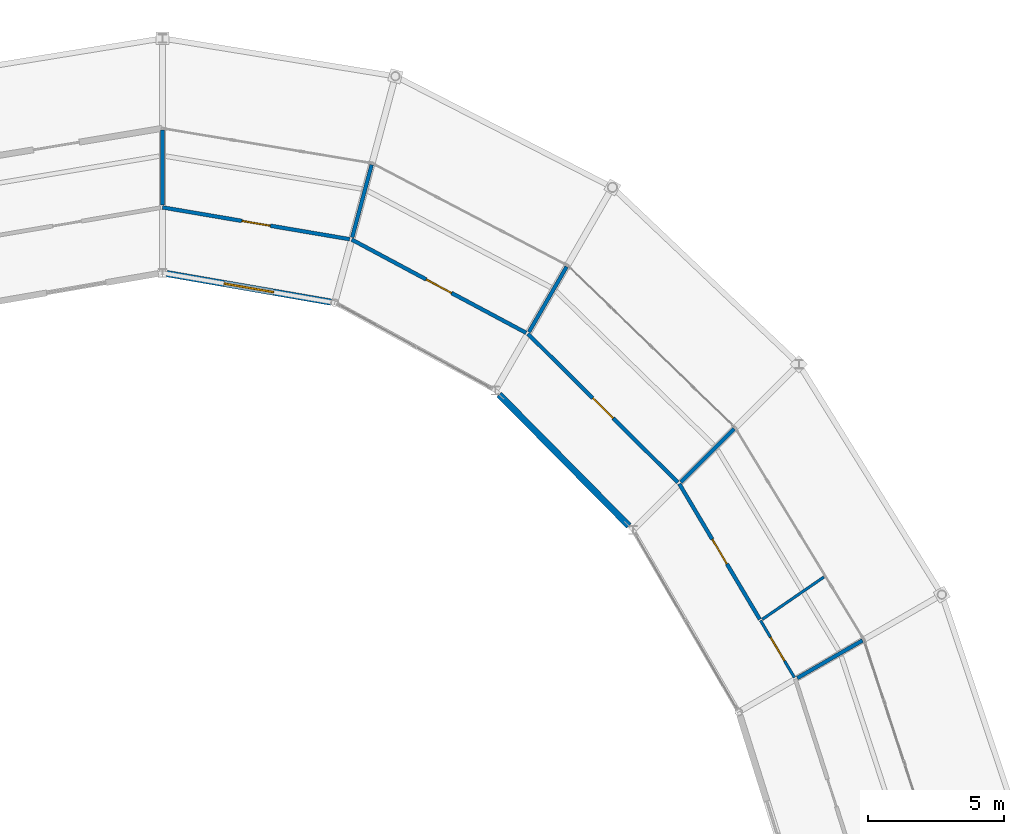
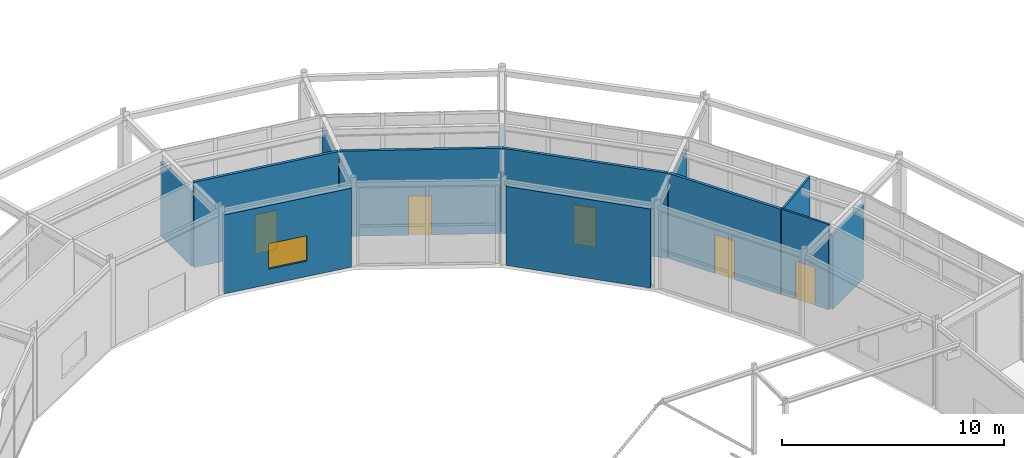
# One storey, part 128 of 144: 13 walls, 5 doors, 1 window, 6 openings.
"""IFC4 building model written with IfcOpenShell, lengths in metres."""

from ifc_helpers import new_model, si_unit, direction, frame, frame_2d, origin, place, context, subcontext, project, spatial, rectangle, extrude, material, layer, layer_set, type_object, element, fill, save


model = new_model("IFC4")

# Units and contexts
model_context = context("Model", 3, precision=1e-05, world=origin(), true_north=direction((0.0, 1.0)))
body_context = subcontext(model_context, "Body", "Model", "MODEL_VIEW")
ifc_project = project(units=[si_unit("LENGTHUNIT", "METRE"), si_unit("AREAUNIT", "SQUARE_METRE"), si_unit("VOLUMEUNIT", "CUBIC_METRE"), si_unit("PLANEANGLEUNIT", "RADIAN"), si_unit("MASSUNIT", "GRAM", prefix="KILO")], contexts=[model_context])

# Site, building, storey
site_placement = place(None, origin())
site = spatial("IfcSite", under=ifc_project, at=site_placement, CompositionType="ELEMENT")
building_placement = place(site_placement, origin())
building = spatial("IfcBuilding", under=site, at=building_placement, Name="Karori Crest Natural Sciences Institute", CompositionType="ELEMENT")
storey_placement = place(building_placement, origin())
storey = spatial("IfcBuildingStorey", under=building, at=storey_placement, Name="L00", CompositionType="ELEMENT", Elevation=0.0)

# Wall
ifc_material_1 = material(Name="Laboratory acoustic drywall partition")
ifc_layer_1 = layer(ifc_material_1, 0.139892578125, Name="Laboratory acoustic drywall partition")
ifc_layer_set_1 = layer_set([ifc_layer_1], Name="Laboratory acoustic drywall partition")
wall_type_1 = type_object("IfcWallType", Name="IWT-07", PredefinedType="PARTITIONING", material=ifc_layer_set_1)
wall_1_placement = place(storey_placement, frame((89.6787109375, 67.239990234375, 0.0), z_axis=(0.0, 0.0, 1.0), x_axis=(0.866019141083, 0.50001084716, 0.0)))
element("IfcWall", 1, at=wall_1_placement, inside=storey, type_object=wall_type_1, Name="Partition wall IW-1170", PredefinedType="PARTITIONING", context=body_context, shape_type="SweptSolid", body=[
    extrude(rectangle(XDim=2.76025390625, YDim=0.139892578125, at=frame_2d((1.380126953125, 0.0))), origin(), (0.0, 0.0, 1.0), 4.092041015625),
])

# Wall, opening, door
wall_2_placement = place(storey_placement, frame((88.30517578125, 69.39453125, 0.0), z_axis=(0.0, 0.0, 1.0), x_axis=(-0.510896676259, 0.859642126811, 0.0)))
wall_2 = element("IfcWall", 2, at=wall_2_placement, inside=storey, type_object=wall_type_1, Name="Partition wall IW-1173", PredefinedType="PARTITIONING", context=body_context, shape_type="SweptSolid", body=[
    extrude(rectangle(XDim=5.783203125, YDim=0.139892578125, at=frame_2d((2.8916015625, 0.0))), origin(), (0.0, 0.0, 1.0), 4.699951171875),
])
opening_1_placement = place(wall_2_placement, frame((2.366455078125, 0.0, 0.0)))
opening_1 = element("IfcOpeningElement", 3, at=opening_1_placement, cuts=wall_2, Name="Opening ID-0350", PredefinedType="OPENING", context=body_context, shape_type="SweptSolid", body=[
    extrude(rectangle(XDim=1.050048828125, YDim=2.14990234375, at=frame_2d((0.52490234375, 1.074951171875))), frame((0.0, 0.080078125, 0.0), z_axis=(0.0, -1.0, 0.0), x_axis=(1.0, 0.0, 0.0)), (0.0, 0.0, 1.0), 0.159912109375),
])
ifc_material_2 = material(Name="Stainless steel 316 and fire-rated timber", Category="steel")
door_type_1 = type_object("IfcDoorType", Name="IDT-03", OperationType="NOTDEFINED", PredefinedType="DOOR", material=ifc_material_2)
door_1_placement = place(opening_1_placement, origin())
door_1 = element("IfcDoor", 4, at=door_1_placement, inside=storey, type_object=door_type_1, Name="Janitor and Consumables Store door ID-0350", OperationType="SINGLE_SWING_RIGHT", OverallHeight=2.14990234375, OverallWidth=1.050048828125, PredefinedType="DOOR", context=body_context, shape_type="SweptSolid", body=[
    extrude(rectangle(XDim=1.050048828125, YDim=2.14990234375, at=frame_2d((0.52490234375, 1.074951171875))), frame((0.0, 0.02490234375, 0.0), z_axis=(0.0, -1.0, 0.0), x_axis=(1.0, 0.0, 0.0)), (0.0, 0.0, 1.0), 0.050048828125),
])
fill(opening_1, door_1)

# Wall
wall_3_placement = place(storey_placement, frame((85.406982421875, 74.422607421875, 0.0), z_axis=(0.0, 0.0, 1.0), x_axis=(0.707151009914, 0.707062549693, 0.0)))
element("IfcWall", 5, at=wall_3_placement, inside=storey, type_object=wall_type_1, Name="Partition wall IW-1174", PredefinedType="PARTITIONING", context=body_context, shape_type="SweptSolid", body=[
    extrude(rectangle(XDim=2.760009765625, YDim=0.139892578125, at=frame_2d((1.3798828125, 0.0))), origin(), (0.0, 0.0, 1.0), 4.092041015625),
])

# Wall, opening, door
wall_4_placement = place(storey_placement, frame((85.29931640625, 74.41650390625, 0.0), z_axis=(0.0, 0.0, 1.0), x_axis=(-0.710410596589, 0.703787456732, 0.0)))
wall_4 = element("IfcWall", 6, at=wall_4_placement, inside=storey, type_object=wall_type_1, Name="Partition wall IW-1175", PredefinedType="PARTITIONING", context=body_context, shape_type="SweptSolid", body=[
    extrude(rectangle(XDim=7.740966796875, YDim=0.139892578125, at=frame_2d((3.87060546875, 0.0))), origin(), (0.0, 0.0, 1.0), 4.699951171875),
])
opening_2_placement = place(wall_4_placement, frame((3.345458984375, 0.0, 0.0)))
opening_2 = element("IfcOpeningElement", 7, at=opening_2_placement, cuts=wall_4, Name="Opening ID-0351", PredefinedType="OPENING", context=body_context, shape_type="SweptSolid", body=[
    extrude(rectangle(XDim=1.050048828125, YDim=2.14990234375, at=frame_2d((0.52490234375, 1.074951171875))), frame((0.0, 0.080078125, 0.0), z_axis=(0.0, -1.0, 0.0), x_axis=(1.0, 0.0, 0.0)), (0.0, 0.0, 1.0), 0.159912109375),
])
door_2_placement = place(opening_2_placement, origin())
door_2 = element("IfcDoor", 8, at=door_2_placement, inside=storey, type_object=door_type_1, Name="Wet Biology Laboratory door ID-0351", OperationType="SINGLE_SWING_LEFT", OverallHeight=2.14990234375, OverallWidth=1.050048828125, PredefinedType="DOOR", context=body_context, shape_type="SweptSolid", body=[
    extrude(rectangle(XDim=1.050048828125, YDim=2.14990234375, at=frame_2d((0.52490234375, 1.074951171875))), frame((0.0, 0.02490234375, 0.0), z_axis=(0.0, -1.0, 0.0), x_axis=(1.0, 0.0, 0.0)), (0.0, 0.0, 1.0), 0.050048828125),
])
fill(opening_2, door_2)

# Wall
wall_5_placement = place(storey_placement, frame((79.840087890625, 79.933837890625, 0.0), z_axis=(0.0, 0.0, 1.0), x_axis=(0.499982807329, 0.86603532975, 0.0)))
element("IfcWall", 9, at=wall_5_placement, inside=storey, type_object=wall_type_1, Name="Partition wall IW-1176", PredefinedType="PARTITIONING", context=body_context, shape_type="SweptSolid", body=[
    extrude(rectangle(XDim=2.759765625, YDim=0.139892578125, at=frame_2d((1.3798828125, 0.0))), origin(), (0.0, 0.0, 1.0), 4.012939453125),
])

# Wall, opening, door
wall_6_placement = place(storey_placement, frame((79.736572265625, 79.8984375, 0.0), z_axis=(0.0, 0.0, 1.0), x_axis=(-0.881826283139, 0.471574391125, 0.0)))
wall_6 = element("IfcWall", 10, at=wall_6_placement, inside=storey, type_object=wall_type_1, Name="Partition wall IW-1177", PredefinedType="PARTITIONING", context=body_context, shape_type="SweptSolid", body=[
    extrude(rectangle(XDim=7.2578125, YDim=0.139892578125, at=frame_2d((3.62890625, 0.0))), origin(), (0.0, 0.0, 1.0), 4.699951171875),
])
opening_3_placement = place(wall_6_placement, frame((3.10400390625, 0.0, 0.0)))
opening_3 = element("IfcOpeningElement", 11, at=opening_3_placement, cuts=wall_6, Name="Opening ID-0352", PredefinedType="OPENING", context=body_context, shape_type="SweptSolid", body=[
    extrude(rectangle(XDim=1.050048828125, YDim=2.14990234375, at=frame_2d((0.52490234375, 1.074951171875))), frame((0.0, 0.080078125, 0.0), z_axis=(0.0, -1.0, 0.0), x_axis=(1.0, 0.0, 0.0)), (0.0, 0.0, 1.0), 0.159912109375),
])
door_3_placement = place(opening_3_placement, origin())
door_3 = element("IfcDoor", 12, at=door_3_placement, inside=storey, type_object=door_type_1, Name="Mass Spectrometry Instrument Room door ID-0352", OperationType="SINGLE_SWING_RIGHT", OverallHeight=2.14990234375, OverallWidth=1.050048828125, PredefinedType="DOOR", context=body_context, shape_type="SweptSolid", body=[
    extrude(rectangle(XDim=1.050048828125, YDim=2.14990234375, at=frame_2d((0.52490234375, 1.074951171875))), frame((0.0, 0.02490234375, 0.0), z_axis=(0.0, -1.0, 0.0), x_axis=(1.0, 0.0, 0.0)), (0.0, 0.0, 1.0), 0.050048828125),
])
fill(opening_3, door_3)

# Wall
wall_7_placement = place(storey_placement, frame((73.357177734375, 83.398193359375, 0.0), z_axis=(0.0, 0.0, 1.0), x_axis=(0.258736085224, 0.965948051503, 0.0)))
element("IfcWall", 13, at=wall_7_placement, inside=storey, type_object=wall_type_1, Name="Partition wall IW-1178", PredefinedType="PARTITIONING", context=body_context, shape_type="SweptSolid", body=[
    extrude(rectangle(XDim=2.760009765625, YDim=0.139892578125, at=frame_2d((1.3798828125, 0.0))), origin(), (0.0, 0.0, 1.0), 4.02294921875),
])

# Wall, opening, door
wall_8_placement = place(storey_placement, frame((73.26513671875, 83.3330078125, 0.0), z_axis=(0.0, 0.0, 1.0), x_axis=(-0.985858163623, 0.167581864229, 0.0)))
wall_8 = element("IfcWall", 14, at=wall_8_placement, inside=storey, type_object=wall_type_1, Name="Partition wall IW-1179", PredefinedType="PARTITIONING", context=body_context, shape_type="SweptSolid", body=[
    extrude(rectangle(XDim=6.963623046875, YDim=0.139892578125, at=frame_2d((3.48193359375, 0.0))), origin(), (0.0, 0.0, 1.0), 4.699951171875),
])
opening_4_placement = place(wall_8_placement, frame((2.956787109375, 0.0, 0.0)))
opening_4 = element("IfcOpeningElement", 15, at=opening_4_placement, cuts=wall_8, Name="Opening ID-0353", PredefinedType="OPENING", context=body_context, shape_type="SweptSolid", body=[
    extrude(rectangle(XDim=1.050048828125, YDim=2.14990234375, at=frame_2d((0.52490234375, 1.074951171875))), frame((0.0, 0.080078125, 0.0), z_axis=(0.0, -1.0, 0.0), x_axis=(1.0, 0.0, 0.0)), (0.0, 0.0, 1.0), 0.159912109375),
])
door_4_placement = place(opening_4_placement, origin())
door_4 = element("IfcDoor", 16, at=door_4_placement, inside=storey, type_object=door_type_1, Name="Organic Biogeochemistry Laboratory door ID-0353", OperationType="SINGLE_SWING_LEFT", OverallHeight=2.14990234375, OverallWidth=1.050048828125, PredefinedType="DOOR", context=body_context, shape_type="SweptSolid", body=[
    extrude(rectangle(XDim=1.050048828125, YDim=2.14990234375, at=frame_2d((0.52490234375, 1.074951171875))), frame((0.0, 0.02490234375, 0.0), z_axis=(0.0, -1.0, 0.0), x_axis=(1.0, 0.0, 0.0)), (0.0, 0.0, 1.0), 0.050048828125),
])
fill(opening_4, door_4)

# Wall
wall_9_placement = place(storey_placement, frame((66.39990234375, 84.580078125, 0.0), z_axis=(0.0, 0.0, 1.0), x_axis=(0.0, 1.0, 0.0)))
element("IfcWall", 17, at=wall_9_placement, inside=storey, type_object=wall_type_1, Name="Partition wall IW-1180", PredefinedType="PARTITIONING", context=body_context, shape_type="SweptSolid", body=[
    extrude(rectangle(XDim=2.760009765625, YDim=0.139892578125, at=frame_2d((1.3798828125, 0.0))), origin(), (0.0, 0.0, 1.0), 4.092041015625),
])

# Wall, opening, door
ifc_material_3 = material(Name="Washroom moisture-resistant partition")
ifc_layer_2 = layer(ifc_material_3, 0.10009765625, Name="Washroom moisture-resistant partition")
ifc_layer_set_2 = layer_set([ifc_layer_2], Name="Washroom moisture-resistant partition")
wall_type_2 = type_object("IfcWallType", Name="IWT-09", PredefinedType="PARTITIONING", material=ifc_layer_set_2)
wall_10_placement = place(storey_placement, frame((89.57275390625, 67.261962890625, 0.0), z_axis=(0.0, 0.0, 1.0), x_axis=(-0.510928867953, 0.859622994046, 0.0)))
wall_10 = element("IfcWall", 18, at=wall_10_placement, inside=storey, type_object=wall_type_2, Name="Partition wall IW-1171", PredefinedType="PARTITIONING", context=body_context, shape_type="SweptSolid", body=[
    extrude(rectangle(XDim=2.428955078125, YDim=0.10009765625, at=frame_2d((1.21435546875, 0.0))), origin(), (0.0, 0.0, 1.0), 4.699951171875),
])
opening_5_placement = place(wall_10_placement, frame((0.71435546875, 0.0, 0.0)))
opening_5 = element("IfcOpeningElement", 19, at=opening_5_placement, cuts=wall_10, Name="Opening ID-0349", PredefinedType="OPENING", context=body_context, shape_type="SweptSolid", body=[
    extrude(rectangle(XDim=1.0, YDim=2.10009765625, at=frame_2d((0.5, 1.050048828125))), frame((0.0, 0.06005859375, 0.0), z_axis=(0.0, -1.0, 0.0), x_axis=(1.0, 0.0, 0.0)), (0.0, 0.0, 1.0), 0.1201171875),
])
ifc_material_4 = material(Name="Anodised aluminium and acoustic timber", Category="wood")
door_type_2 = type_object("IfcDoorType", Name="IDT-09", OperationType="NOTDEFINED", PredefinedType="DOOR", material=ifc_material_4)
door_5_placement = place(opening_5_placement, origin())
door_5 = element("IfcDoor", 20, at=door_5_placement, inside=storey, type_object=door_type_2, Name="Accessible WC door ID-0349", OperationType="SINGLE_SWING_LEFT", OverallHeight=2.10009765625, OverallWidth=1.0, PredefinedType="DOOR", context=body_context, shape_type="SweptSolid", body=[
    extrude(rectangle(XDim=1.0, YDim=2.10009765625, at=frame_2d((0.5, 1.050048828125))), frame((0.0, 0.02490234375, 0.0), z_axis=(0.0, -1.0, 0.0), x_axis=(1.0, 0.0, 0.0)), (0.0, 0.0, 1.0), 0.050048828125),
])
fill(opening_5, door_5)

# Walls
wall_11_placement = place(storey_placement, frame((88.397705078125, 69.39501953125, 0.0), z_axis=(0.0, 0.0, 1.0), x_axis=(0.824249911303, 0.566226177174, 0.0)))
element("IfcWall", 21, at=wall_11_placement, inside=storey, type_object=wall_type_2, Name="Partition wall IW-1172", PredefinedType="PARTITIONING", context=body_context, shape_type="SweptSolid", body=[
    extrude(rectangle(XDim=2.7392578125, YDim=0.10009765625, at=frame_2d((1.36962890625, 0.0))), origin(), (0.0, 0.0, 1.0), 4.699951171875),
])
ifc_material_5 = material(Name="Precast concrete 40 MPa", Category="concrete")
ifc_layer_3 = layer(ifc_material_5, 0.239990234375, Name="Precast concrete 40 MPa")
ifc_layer_set_3 = layer_set([ifc_layer_3], Name="Precast concrete 40 MPa")
wall_type_3 = type_object("IfcWallType", Name="WT-04", PredefinedType="SOLIDWALL", material=ifc_layer_set_3)
wall_12_placement = place(storey_placement, frame((83.501220703125, 72.82275390625, 0.0), z_axis=(0.0, 0.0, 1.0), x_axis=(-0.702669438652, 0.711516450958, 0.0)))
element("IfcWall", 22, at=wall_12_placement, inside=storey, type_object=wall_type_3, Name="Exterior wall EW-0021", PredefinedType="SOLIDWALL", context=body_context, shape_type="SweptSolid", body=[
    extrude(rectangle(XDim=6.760986328125, YDim=0.239990234375, at=frame_2d((3.38037109375, 0.0))), origin(), (0.0, 0.0, 1.0), 4.35009765625),
])

# Wall, opening, window
wall_13_placement = place(storey_placement, frame((72.582763671875, 81.02587890625, 0.0), z_axis=(0.0, 0.0, 1.0), x_axis=(-0.985241011519, 0.171172863562, 0.0)))
wall_13 = element("IfcWall", 23, at=wall_13_placement, inside=storey, type_object=wall_type_3, Name="Exterior wall EW-0022", PredefinedType="SOLIDWALL", context=body_context, shape_type="SweptSolid", body=[
    extrude(rectangle(XDim=6.12158203125, YDim=0.239990234375, at=frame_2d((3.060791015625, 0.0))), origin(), (0.0, 0.0, 1.0), 4.35009765625),
])
opening_6_placement = place(wall_13_placement, frame((2.1357421875, 0.0, 0.85009765625)))
opening_6 = element("IfcOpeningElement", 24, at=opening_6_placement, cuts=wall_13, Name="Opening WN-0002", PredefinedType="OPENING", context=body_context, shape_type="SweptSolid", body=[
    extrude(rectangle(XDim=1.85009765625, YDim=1.39990234375, at=frame_2d((0.925048828125, 0.699951171875))), frame((0.0, 0.1298828125, 0.0), z_axis=(0.0, -1.0, 0.0), x_axis=(1.0, 0.0, 0.0)), (0.0, 0.0, 1.0), 0.260009765625),
])
ifc_material_6 = material(Name="Double low-E laminated glass", Category="glass")
window_type = type_object("IfcWindowType", Name="WNT-06", PartitioningType="SINGLE_PANEL", PredefinedType="WINDOW", material=ifc_material_6)
window_placement = place(opening_6_placement, origin())
window = element("IfcWindow", 25, at=window_placement, inside=storey, type_object=window_type, Name="Window WN-0002", OverallHeight=1.39990234375, OverallWidth=1.85009765625, PartitioningType="SINGLE_PANEL", PredefinedType="WINDOW", context=body_context, shape_type="SweptSolid", body=[
    extrude(rectangle(XDim=1.85009765625, YDim=1.39990234375, at=frame_2d((0.925048828125, 0.699951171875))), frame((0.0, 0.030029296875, 0.0), z_axis=(0.0, -1.0, 0.0), x_axis=(1.0, 0.0, 0.0)), (0.0, 0.0, 1.0), 0.06005859375),
])
fill(opening_6, window)

save(model, "model.ifc")
